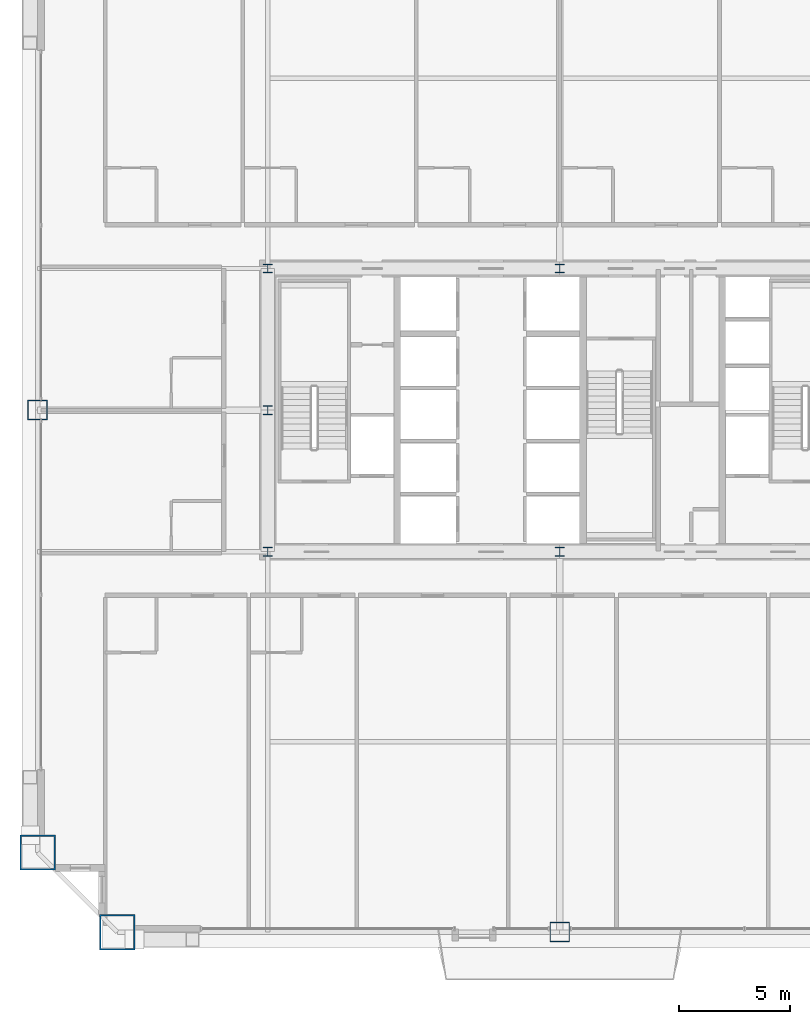
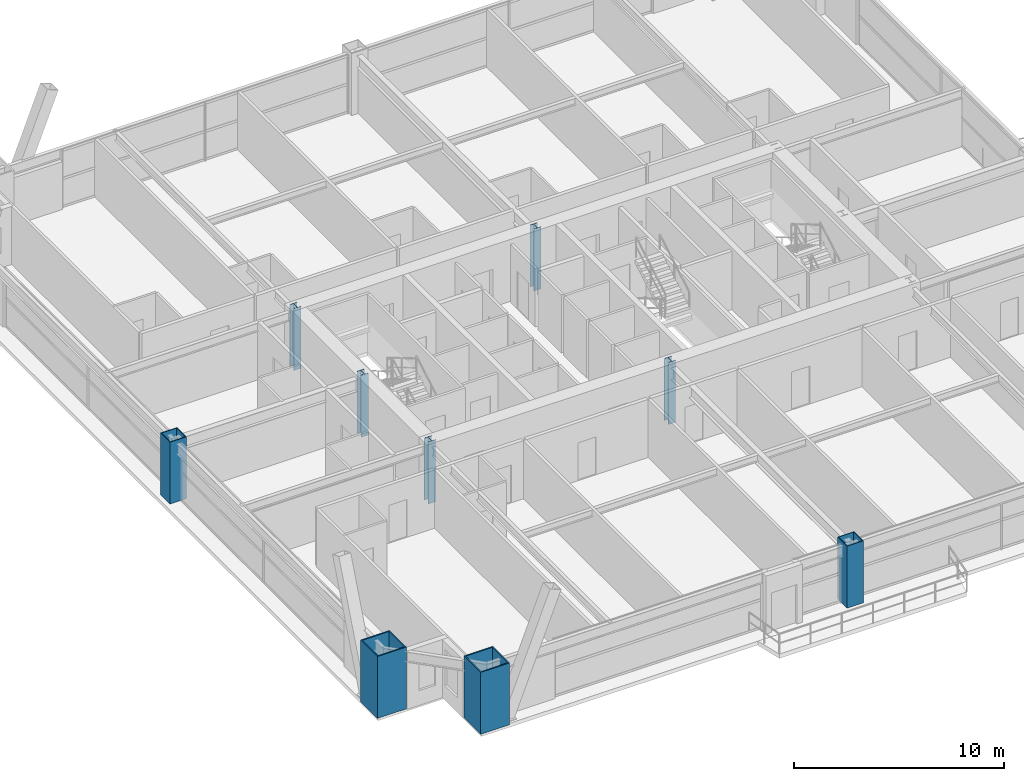
# One storey, part 1 of 43: 9 columns.
"""IFC4 building model written with IfcOpenShell, lengths in metres."""

from ifc_helpers import new_model, si_unit, direction, frame, origin, origin_2d, place, context, subcontext, project, spatial, hollow_rectangle, i_section, extrude, source, transform, mapped, material, material_profile, profile_set, type_object, element, save


model = new_model("IFC4")

# Units and contexts
model_context = context("Model", 3, precision=1e-05, world=origin(), true_north=direction((0.0, 1.0)))
body_context = subcontext(model_context, "Body", "Model", "MODEL_VIEW")
ifc_project = project(units=[si_unit("LENGTHUNIT", "METRE"), si_unit("AREAUNIT", "SQUARE_METRE"), si_unit("VOLUMEUNIT", "CUBIC_METRE"), si_unit("PLANEANGLEUNIT", "RADIAN"), si_unit("MASSUNIT", "GRAM", prefix="KILO"), si_unit("THERMODYNAMICTEMPERATUREUNIT", "KELVIN"), si_unit("POWERUNIT", "WATT")], contexts=[model_context])

# Site, building, storey
site_placement = place(None, origin())
site = spatial("IfcSite", under=ifc_project, at=site_placement, CompositionType="ELEMENT")
building_placement = place(site_placement, origin())
building = spatial("IfcBuilding", under=site, at=building_placement, Name="Yuzanri Waterfront Tower", CompositionType="ELEMENT")
storey_placement = place(building_placement, frame((0.0, 0.0, 159.60009765625)))
storey = spatial("IfcBuildingStorey", under=building, at=storey_placement, Name="L42", CompositionType="ELEMENT", Elevation=159.60009765625)

# Columns
ifc_material_1 = material(Name="Steel Q390GJC", Category="steel")
ifc_material_profile_1 = material_profile(ifc_material_1, hollow_rectangle(XDim=0.89990234375, YDim=0.89990234375, WallThickness=0.0419921875, at=origin_2d()), Name="RHS 900x900x42")
ifc_profile_set_1 = profile_set([ifc_material_profile_1], Name="Steel Q390GJC")
column_type_1 = type_object("IfcColumnType", Name="Frame Column Q390GJC RHS 900x900x42", PredefinedType="COLUMN", material=ifc_profile_set_1)
shared_shape_1 = source(origin(), body_context, "Body", "SweptSolid", [
    extrude(hollow_rectangle(XDim=0.89990234375, YDim=0.89990234375, WallThickness=0.0419921875, at=origin_2d()), origin(), (0.0, 0.0, 1.0), 3.599853515625),
])
for number, where, z_axis, x_axis, name in (
    (1, (37.0, 2.199951171875, 0.0), (0.0, 0.0, 1.0), (1.0, 0.0, 0.0), "L42 Perimeter Frame Column S2"),
    (2, (13.39990234375, 25.800048828125, 0.0), (0.0, 0.0, 1.0), (1.0, 0.0, 0.0), "L42 Perimeter Frame Column W2"),
):
    element("IfcColumn", number, at=place(storey_placement, frame(where, z_axis=z_axis, x_axis=x_axis)), inside=storey, type_object=column_type_1, Name=name, PredefinedType="COLUMN", context=body_context, shape_type="MappedRepresentation", body=[
        mapped(shared_shape_1, transform((0.0, 0.0, 0.0), scale=1.0)),
    ])
ifc_material_2 = material(Name="Steel Q420GJC", Category="steel")
ifc_material_profile_2 = material_profile(ifc_material_2, hollow_rectangle(XDim=1.60009765625, YDim=1.60009765625, WallThickness=0.070068359375, at=origin_2d()), Name="RHS 1600x1600x70")
ifc_profile_set_2 = profile_set([ifc_material_profile_2], Name="Steel Q420GJC")
column_type_2 = type_object("IfcColumnType", Name="Mega Column Q420GJC RHS 1600x1600x70", PredefinedType="COLUMN", material=ifc_profile_set_2)
shared_shape_2 = source(origin(), body_context, "Body", "SweptSolid", [
    extrude(hollow_rectangle(XDim=1.60009765625, YDim=1.60009765625, WallThickness=0.070068359375, at=origin_2d()), origin(), (0.0, 0.0, 1.0), 3.599853515625),
])
for number, where, z_axis, x_axis, name in (
    (3, (17.0, 2.199951171875, 0.0), (0.0, 0.0, 1.0), (1.0, 0.0, 0.0), "L42 Perimeter Mega Column S1"),
    (4, (13.39990234375, 5.800048828125, 0.0), (0.0, 0.0, 1.0), (1.0, 0.0, 0.0), "L42 Perimeter Mega Column W1"),
):
    element("IfcColumn", number, at=place(storey_placement, frame(where, z_axis=z_axis, x_axis=x_axis)), inside=storey, type_object=column_type_2, Name=name, PredefinedType="COLUMN", context=body_context, shape_type="MappedRepresentation", body=[
        mapped(shared_shape_2, transform((0.0, 0.0, 0.0), scale=1.0)),
    ])
ifc_material_3 = material(Name="Steel Q355B", Category="steel")
ifc_material_profile_3 = material_profile(ifc_material_3, i_section(OverallWidth=0.39990234375, OverallDepth=0.39990234375, WebThickness=0.012939453125, FlangeThickness=0.02099609375, at=origin_2d()), Name="HW 400x400x13x21")
ifc_profile_set_3 = profile_set([ifc_material_profile_3], Name="Steel Q355B")
column_type_3 = type_object("IfcColumnType", Name="Core Post Q355B HW 400x400x13x21", PredefinedType="COLUMN", material=ifc_profile_set_3)
shared_shape_3 = source(origin(), body_context, "Body", "SweptSolid", [
    extrude(i_section(OverallWidth=0.39990234375, OverallDepth=0.39990234375, WebThickness=0.012939453125, FlangeThickness=0.02099609375, at=origin_2d()), origin(), (0.0, 0.0, 1.0), 3.599853515625),
])
for number, where, z_axis, x_axis, name in (
    (5, (23.800048828125, 19.39990234375, 0.0), (0.0, 0.0, 1.0), (1.0, 0.0, 0.0), "L42 Core Boundary Column CP1"),
    (6, (37.0, 19.39990234375, 0.0), (0.0, 0.0, 1.0), (1.0, 0.0, 0.0), "L42 Core Boundary Column CP2"),
    (7, (23.800048828125, 25.800048828125, 0.0), (0.0, 0.0, 1.0), (1.0, 0.0, 0.0), "L42 Core Boundary Column CP4"),
    (8, (23.800048828125, 32.199951171875, 0.0), (0.0, 0.0, 1.0), (1.0, 0.0, 0.0), "L42 Core Boundary Column CP6"),
    (9, (37.0, 32.199951171875, 0.0), (0.0, 0.0, 1.0), (1.0, 0.0, 0.0), "L42 Core Boundary Column CP7"),
):
    element("IfcColumn", number, at=place(storey_placement, frame(where, z_axis=z_axis, x_axis=x_axis)), inside=storey, type_object=column_type_3, Name=name, PredefinedType="COLUMN", context=body_context, shape_type="MappedRepresentation", body=[
        mapped(shared_shape_3, transform((0.0, 0.0, 0.0), scale=1.0)),
    ])

save(model, "model.ifc")
